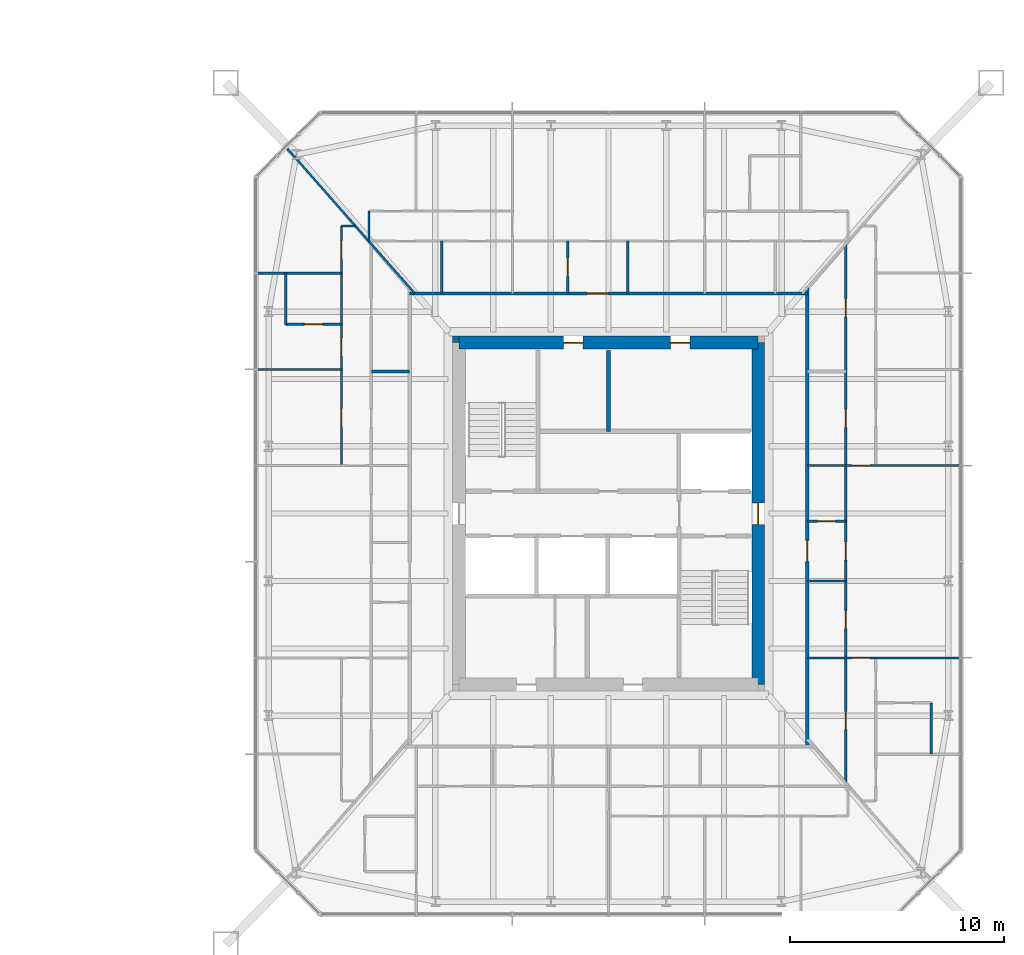
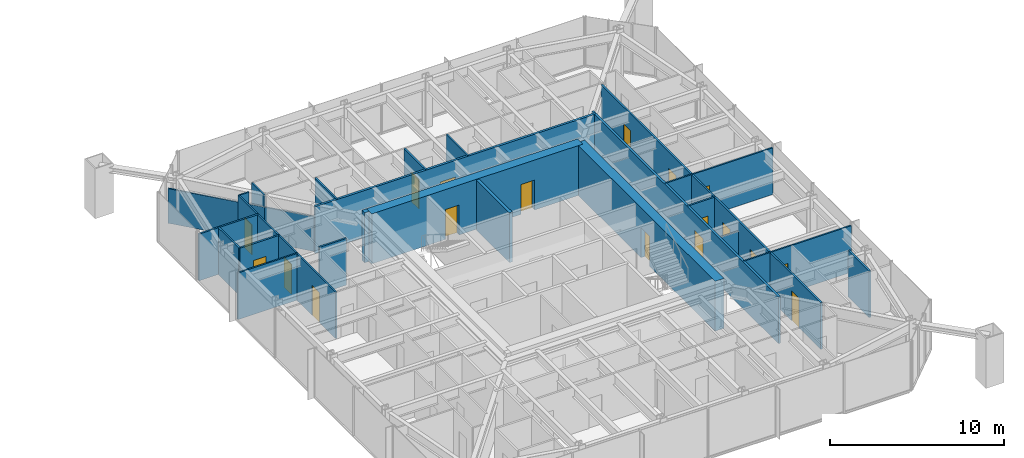
# One storey, part 20 of 26: 25 walls, 18 doors, 18 openings.
"""IFC4 building model written with IfcOpenShell, lengths in metres."""

from ifc_helpers import new_model, si_unit, direction, frame, frame_2d, origin, place, context, subcontext, project, spatial, rectangle, extrude, material, layer, layer_set, type_object, element, fill, save


model = new_model("IFC4")

# Units and contexts
model_context = context("Model", 3, precision=1e-05, world=origin(), true_north=direction((0.0, 1.0)))
body_context = subcontext(model_context, "Body", "Model", "MODEL_VIEW")
ifc_project = project(units=[si_unit("LENGTHUNIT", "METRE"), si_unit("AREAUNIT", "SQUARE_METRE"), si_unit("VOLUMEUNIT", "CUBIC_METRE"), si_unit("PLANEANGLEUNIT", "RADIAN"), si_unit("MASSUNIT", "GRAM", prefix="KILO")], contexts=[model_context])

# Site, building, storey
site_placement = place(None, origin())
site = spatial("IfcSite", under=ifc_project, at=site_placement, CompositionType="ELEMENT")
building_placement = place(site_placement, origin())
building = spatial("IfcBuilding", under=site, at=building_placement, Name="Iwan Alto Co-Living Towers", CompositionType="ELEMENT")
storey_placement = place(building_placement, frame((0.0, 0.0, 18.5)))
storey = spatial("IfcBuildingStorey", under=building, at=storey_placement, Name="L04", CompositionType="ELEMENT", Elevation=18.5)

# Wall, opening, door
ifc_material_1 = material(Name="Gypsum board")
ifc_layer_1 = layer(ifc_material_1, 0.02490234375, Name="Board", Category="Finish")
ifc_material_2 = material(Name="Steel ASTM A1003 ST33H cold-formed studs", Category="steel")
ifc_layer_2 = layer(ifc_material_2, 0.10009765625, Name="Studs", Category="Framing")
ifc_layer_3 = layer(ifc_material_1, 0.02490234375, Name="Board", Category="Finish")
ifc_layer_set_1 = layer_set([ifc_layer_1, ifc_layer_2, ifc_layer_3], Name="CORRIDOR WALL 150")
wall_type_1 = type_object("IfcWallType", Name="CORRIDOR WALL 150", PredefinedType="PARTITIONING", material=ifc_layer_set_1)
wall_1_placement = place(storey_placement, frame((53.699951171875, 10.300048828125, 0.0), z_axis=(0.0, 0.0, 1.0), x_axis=(1.0, 0.0, 0.0)))
wall_1 = element("IfcWall", 1, at=wall_1_placement, inside=storey, type_object=wall_type_1, Name="Partition L04", PredefinedType="PARTITIONING", context=body_context, shape_type="SweptSolid", body=[
    extrude(rectangle(XDim=18.60009765625, YDim=0.14990234375, at=frame_2d((9.300048828125, 0.0))), origin(), (0.0, 0.0, 1.0), 3.27001953125),
])
opening_1_placement = place(wall_1_placement, frame((8.300048828125, 0.0, 0.0)))
opening_1 = element("IfcOpeningElement", 2, at=opening_1_placement, cuts=wall_1, Name="Opening D3", PredefinedType="OPENING", context=body_context, shape_type="SweptSolid", body=[
    extrude(rectangle(XDim=1.0, YDim=2.10009765625, at=frame_2d((0.5, 1.050048828125))), frame((0.0, 0.0849609375, 0.0), z_axis=(0.0, -1.0, 0.0), x_axis=(1.0, 0.0, 0.0)), (0.0, 0.0, 1.0), 0.169921875),
])
ifc_material_3 = material(Name="Steel frame with timber leaf", Category="steel")
door_type_1 = type_object("IfcDoorType", Name="FLAT ENTRANCE DOOR FD30S 1000X2100", OperationType="SINGLE_SWING_LEFT", PredefinedType="DOOR", material=ifc_material_3)
door_1_placement = place(opening_1_placement, origin())
door_1 = element("IfcDoor", 3, at=door_1_placement, inside=storey, type_object=door_type_1, Name="Apartment foyer door L04", OperationType="SINGLE_SWING_LEFT", OverallHeight=2.10009765625, OverallWidth=1.0, PredefinedType="DOOR", context=body_context, shape_type="SweptSolid", body=[
    extrude(rectangle(XDim=1.0, YDim=2.10009765625, at=frame_2d((0.5, 1.050048828125))), frame((0.0, 0.02490234375, 0.0), z_axis=(0.0, -1.0, 0.0), x_axis=(1.0, 0.0, 0.0)), (0.0, 0.0, 1.0), 0.050048828125),
])
fill(opening_1, door_1)

wall_2_placement = place(storey_placement, frame((72.300048828125, -10.89990234375, 0.0), z_axis=(0.0, 0.0, 1.0), x_axis=(0.0, 1.0, 0.0)))
wall_2 = element("IfcWall", 4, at=wall_2_placement, inside=storey, type_object=wall_type_1, Name="Partition L04", PredefinedType="PARTITIONING", context=body_context, shape_type="SweptSolid", body=[
    extrude(rectangle(XDim=21.468017578125, YDim=0.14990234375, at=frame_2d((10.73388671875, 0.0))), origin(), (0.0, 0.0, 1.0), 3.27001953125),
])
opening_2_placement = place(wall_2_placement, frame((8.64990234375, 0.0, 0.0)))
opening_2 = element("IfcOpeningElement", 5, at=opening_2_placement, cuts=wall_2, Name="Opening D3", PredefinedType="OPENING", context=body_context, shape_type="SweptSolid", body=[
    extrude(rectangle(XDim=1.0, YDim=2.10009765625, at=frame_2d((0.5, 1.050048828125))), frame((0.0, 0.0849609375, 0.0), z_axis=(0.0, -1.0, 0.0), x_axis=(1.0, 0.0, 0.0)), (0.0, 0.0, 1.0), 0.169921875),
])
door_2_placement = place(opening_2_placement, frame((1.0, 0.0, 0.0), z_axis=(0.0, 0.0, 1.0), x_axis=(-1.0, 0.0, 0.0)))
door_2 = element("IfcDoor", 6, at=door_2_placement, inside=storey, type_object=door_type_1, Name="Apartment foyer door L04", OperationType="SINGLE_SWING_RIGHT", OverallHeight=2.10009765625, OverallWidth=1.0, PredefinedType="DOOR", context=body_context, shape_type="SweptSolid", body=[
    extrude(rectangle(XDim=1.0, YDim=2.10009765625, at=frame_2d((0.5, 1.050048828125))), frame((0.0, 0.02490234375, 0.0), z_axis=(0.0, -1.0, 0.0), x_axis=(1.0, 0.0, 0.0)), (0.0, 0.0, 1.0), 0.050048828125),
])
fill(opening_2, door_2)

ifc_layer_4 = layer(ifc_material_1, 0.012451171875, Name="Board", Category="Finish")
ifc_layer_5 = layer(ifc_material_2, 0.074951171875, Name="Studs", Category="Framing")
ifc_layer_6 = layer(ifc_material_1, 0.012451171875, Name="Board", Category="Finish")
ifc_layer_set_2 = layer_set([ifc_layer_4, ifc_layer_5, ifc_layer_6], Name="PARTITION 100")
wall_type_2 = type_object("IfcWallType", Name="PARTITION 100", PredefinedType="PARTITIONING", material=ifc_layer_set_2)
wall_3_placement = place(storey_placement, frame((72.300048828125, -6.75, 0.0), z_axis=(0.0, 0.0, 1.0), x_axis=(1.0, 0.0, 0.0)))
wall_3 = element("IfcWall", 7, at=wall_3_placement, inside=storey, type_object=wall_type_2, Name="Partition L04", PredefinedType="PARTITIONING", context=body_context, shape_type="SweptSolid", body=[
    extrude(rectangle(XDim=7.139892578125, YDim=0.10009765625, at=frame_2d((3.56982421875, 0.0))), origin(), (0.0, 0.0, 1.0), 3.27001953125),
])
opening_3_placement = place(wall_3_placement, frame((2.074951171875, 0.0, 0.0)))
opening_3 = element("IfcOpeningElement", 8, at=opening_3_placement, cuts=wall_3, Name="Opening D2", PredefinedType="OPENING", context=body_context, shape_type="SweptSolid", body=[
    extrude(rectangle(XDim=0.85009765625, YDim=2.10009765625, at=frame_2d((0.425048828125, 1.050048828125))), frame((0.0, 0.06005859375, 0.0), z_axis=(0.0, -1.0, 0.0), x_axis=(1.0, 0.0, 0.0)), (0.0, 0.0, 1.0), 0.1201171875),
])
ifc_material_4 = material(Name="Timber leaf in steel frame", Category="steel")
door_type_2 = type_object("IfcDoorType", Name="ROOM DOOR 850X2100", OperationType="SINGLE_SWING_LEFT", PredefinedType="DOOR", material=ifc_material_4)
door_3_placement = place(opening_3_placement, origin())
door_3 = element("IfcDoor", 9, at=door_3_placement, inside=storey, type_object=door_type_2, Name="Apartment hall door L04", OperationType="SINGLE_SWING_LEFT", OverallHeight=2.10009765625, OverallWidth=0.85009765625, PredefinedType="DOOR", context=body_context, shape_type="SweptSolid", body=[
    extrude(rectangle(XDim=0.85009765625, YDim=2.10009765625, at=frame_2d((0.425048828125, 1.050048828125))), frame((0.0, 0.02490234375, 0.0), z_axis=(0.0, -1.0, 0.0), x_axis=(1.0, 0.0, 0.0)), (0.0, 0.0, 1.0), 0.050048828125),
])
fill(opening_3, door_3)

# Wall
wall_4_placement = place(storey_placement, frame((72.300048828125, -3.14990234375, 0.0), z_axis=(0.0, 0.0, 1.0), x_axis=(1.0, 0.0, 0.0)))
element("IfcWall", 10, at=wall_4_placement, inside=storey, type_object=wall_type_2, Name="Partition L04", PredefinedType="PARTITIONING", context=body_context, shape_type="SweptSolid", body=[
    extrude(rectangle(XDim=1.800048828125, YDim=0.10009765625, at=frame_2d((0.89990234375, 0.0))), origin(), (0.0, 0.0, 1.0), 2.586669921875),
])

# Wall, opening, door
wall_5_placement = place(storey_placement, frame((72.300048828125, 2.25, 0.0), z_axis=(0.0, 0.0, 1.0), x_axis=(1.0, 0.0, 0.0)))
wall_5 = element("IfcWall", 11, at=wall_5_placement, inside=storey, type_object=wall_type_2, Name="Partition L04", PredefinedType="PARTITIONING", context=body_context, shape_type="SweptSolid", body=[
    extrude(rectangle(XDim=7.139892578125, YDim=0.10009765625, at=frame_2d((3.56982421875, 0.0))), origin(), (0.0, 0.0, 1.0), 3.27001953125),
])
opening_4_placement = place(wall_5_placement, frame((2.074951171875, 0.0, 0.0)))
opening_4 = element("IfcOpeningElement", 12, at=opening_4_placement, cuts=wall_5, Name="Opening D2", PredefinedType="OPENING", context=body_context, shape_type="SweptSolid", body=[
    extrude(rectangle(XDim=0.85009765625, YDim=2.10009765625, at=frame_2d((0.425048828125, 1.050048828125))), frame((0.0, 0.06005859375, 0.0), z_axis=(0.0, -1.0, 0.0), x_axis=(1.0, 0.0, 0.0)), (0.0, 0.0, 1.0), 0.1201171875),
])
door_4_placement = place(opening_4_placement, frame((0.85009765625, 0.0, 0.0), z_axis=(0.0, 0.0, 1.0), x_axis=(-1.0, 0.0, 0.0)))
door_4 = element("IfcDoor", 13, at=door_4_placement, inside=storey, type_object=door_type_2, Name="Apartment hall door L04", OperationType="SINGLE_SWING_RIGHT", OverallHeight=2.10009765625, OverallWidth=0.85009765625, PredefinedType="DOOR", context=body_context, shape_type="SweptSolid", body=[
    extrude(rectangle(XDim=0.85009765625, YDim=2.10009765625, at=frame_2d((0.425048828125, 1.050048828125))), frame((0.0, 0.02490234375, 0.0), z_axis=(0.0, -1.0, 0.0), x_axis=(1.0, 0.0, 0.0)), (0.0, 0.0, 1.0), 0.050048828125),
])
fill(opening_4, door_4)

# Walls
wall_6_placement = place(storey_placement, frame((46.56005859375, 6.75, 0.0), z_axis=(0.0, 0.0, 1.0), x_axis=(1.0, 0.0, 0.0)))
element("IfcWall", 14, at=wall_6_placement, inside=storey, type_object=wall_type_2, Name="Partition L04", PredefinedType="PARTITIONING", context=body_context, shape_type="SweptSolid", body=[
    extrude(rectangle(XDim=3.93994140625, YDim=0.10009765625, at=frame_2d((1.969970703125, 0.0))), origin(), (0.0, 0.0, 1.0), 3.27001953125),
])
wall_7_placement = place(storey_placement, frame((50.5, 13.449951171875, 0.0), z_axis=(0.0, 0.0, 1.0), x_axis=(1.0, 0.0, 0.0)))
element("IfcWall", 15, at=wall_7_placement, inside=storey, type_object=wall_type_2, Name="Partition L04", PredefinedType="PARTITIONING", context=body_context, shape_type="SweptSolid", body=[
    extrude(rectangle(XDim=0.6640625, YDim=0.10009765625, at=frame_2d((0.33203125, 0.0))), origin(), (0.0, 0.0, 1.0), 3.27001953125),
])
wall_8_placement = place(storey_placement, frame((63.89990234375, 10.300048828125, 0.0), z_axis=(0.0, 0.0, 1.0), x_axis=(0.0, 1.0, 0.0)))
element("IfcWall", 16, at=wall_8_placement, inside=storey, type_object=wall_type_2, Name="Partition L04", PredefinedType="PARTITIONING", context=body_context, shape_type="SweptSolid", body=[
    extrude(rectangle(XDim=2.449951171875, YDim=0.10009765625, at=frame_2d((1.22509765625, 0.0))), origin(), (0.0, 0.0, 1.0), 3.27001953125),
])
wall_9_placement = place(storey_placement, frame((51.800048828125, 12.72705078125, 0.0), z_axis=(0.0, 0.0, 1.0), x_axis=(0.0, 1.0, 0.0)))
element("IfcWall", 17, at=wall_9_placement, inside=storey, type_object=wall_type_2, Name="Partition L04", PredefinedType="PARTITIONING", context=body_context, shape_type="SweptSolid", body=[
    extrude(rectangle(XDim=1.4228515625, YDim=0.10009765625, at=frame_2d((0.71142578125, 0.0))), origin(), (0.0, 0.0, 1.0), 3.27001953125),
])

# Wall, openings, doors
wall_10_placement = place(storey_placement, frame((50.5, 2.25, 0.0), z_axis=(0.0, 0.0, 1.0), x_axis=(0.0, 1.0, 0.0)))
wall_10 = element("IfcWall", 18, at=wall_10_placement, inside=storey, type_object=wall_type_2, Name="Partition L04", PredefinedType="PARTITIONING", context=body_context, shape_type="SweptSolid", body=[
    extrude(rectangle(XDim=11.199951171875, YDim=0.10009765625, at=frame_2d((5.60009765625, 0.0))), origin(), (0.0, 0.0, 1.0), 3.27001953125),
])
opening_5_placement = place(wall_10_placement, frame((1.824951171875, 0.0, 0.0)))
opening_5 = element("IfcOpeningElement", 19, at=opening_5_placement, cuts=wall_10, Name="Opening D2", PredefinedType="OPENING", context=body_context, shape_type="SweptSolid", body=[
    extrude(rectangle(XDim=0.85009765625, YDim=2.10009765625, at=frame_2d((0.425048828125, 1.050048828125))), frame((0.0, 0.06005859375, 0.0), z_axis=(0.0, -1.0, 0.0), x_axis=(1.0, 0.0, 0.0)), (0.0, 0.0, 1.0), 0.1201171875),
])
opening_6_placement = place(wall_10_placement, frame((5.125, 0.0, 0.0)))
opening_6 = element("IfcOpeningElement", 20, at=opening_6_placement, cuts=wall_10, Name="Opening D2", PredefinedType="OPENING", context=body_context, shape_type="SweptSolid", body=[
    extrude(rectangle(XDim=0.85009765625, YDim=2.10009765625, at=frame_2d((0.425048828125, 1.050048828125))), frame((0.0, 0.06005859375, 0.0), z_axis=(0.0, -1.0, 0.0), x_axis=(1.0, 0.0, 0.0)), (0.0, 0.0, 1.0), 0.1201171875),
])
opening_7_placement = place(wall_10_placement, frame((9.675048828125, 0.0, 0.0)))
opening_7 = element("IfcOpeningElement", 21, at=opening_7_placement, cuts=wall_10, Name="Opening D2", PredefinedType="OPENING", context=body_context, shape_type="SweptSolid", body=[
    extrude(rectangle(XDim=0.85009765625, YDim=2.10009765625, at=frame_2d((0.425048828125, 1.050048828125))), frame((0.0, 0.06005859375, 0.0), z_axis=(0.0, -1.0, 0.0), x_axis=(1.0, 0.0, 0.0)), (0.0, 0.0, 1.0), 0.1201171875),
])
door_5_placement = place(opening_5_placement, origin())
door_5 = element("IfcDoor", 22, at=door_5_placement, inside=storey, type_object=door_type_2, Name="Study door L04", OperationType="SINGLE_SWING_LEFT", OverallHeight=2.10009765625, OverallWidth=0.85009765625, PredefinedType="DOOR", context=body_context, shape_type="SweptSolid", body=[
    extrude(rectangle(XDim=0.85009765625, YDim=2.10009765625, at=frame_2d((0.425048828125, 1.050048828125))), frame((0.0, 0.02490234375, 0.0), z_axis=(0.0, -1.0, 0.0), x_axis=(1.0, 0.0, 0.0)), (0.0, 0.0, 1.0), 0.050048828125),
])
fill(opening_5, door_5)
door_6_placement = place(opening_6_placement, origin())
door_6 = element("IfcDoor", 23, at=door_6_placement, inside=storey, type_object=door_type_2, Name="Bedroom door L04", OperationType="SINGLE_SWING_LEFT", OverallHeight=2.10009765625, OverallWidth=0.85009765625, PredefinedType="DOOR", context=body_context, shape_type="SweptSolid", body=[
    extrude(rectangle(XDim=0.85009765625, YDim=2.10009765625, at=frame_2d((0.425048828125, 1.050048828125))), frame((0.0, 0.02490234375, 0.0), z_axis=(0.0, -1.0, 0.0), x_axis=(1.0, 0.0, 0.0)), (0.0, 0.0, 1.0), 0.050048828125),
])
fill(opening_6, door_6)
door_7_placement = place(opening_7_placement, origin())
door_7 = element("IfcDoor", 24, at=door_7_placement, inside=storey, type_object=door_type_2, Name="Bedroom door L04", OperationType="SINGLE_SWING_LEFT", OverallHeight=2.10009765625, OverallWidth=0.85009765625, PredefinedType="DOOR", context=body_context, shape_type="SweptSolid", body=[
    extrude(rectangle(XDim=0.85009765625, YDim=2.10009765625, at=frame_2d((0.425048828125, 1.050048828125))), frame((0.0, 0.02490234375, 0.0), z_axis=(0.0, -1.0, 0.0), x_axis=(1.0, 0.0, 0.0)), (0.0, 0.0, 1.0), 0.050048828125),
])
fill(opening_7, door_7)

# Walls
wall_11_placement = place(storey_placement, frame((53.93603515625, 10.300048828125, 0.0), z_axis=(0.0, 0.0, 1.0), x_axis=(-0.660667046586, 0.75067906162, 0.0)))
element("IfcWall", 25, at=wall_11_placement, inside=storey, type_object=wall_type_2, Name="Partition L04", PredefinedType="PARTITIONING", context=body_context, shape_type="SweptSolid", body=[
    extrude(rectangle(XDim=3.233154296875, YDim=0.10009765625, at=frame_2d((1.61669921875, 0.0))), origin(), (0.0, 0.0, 1.0), 2.42919921875),
])
wall_12_placement = place(storey_placement, frame((51.800048828125, 12.72705078125, 0.0), z_axis=(0.0, 0.0, 1.0), x_axis=(-0.660690123093, 0.750658751529, 0.0)))
element("IfcWall", 26, at=wall_12_placement, inside=storey, type_object=wall_type_2, Name="Partition L04", PredefinedType="PARTITIONING", context=body_context, shape_type="SweptSolid", body=[
    extrude(rectangle(XDim=5.8369140625, YDim=0.10009765625, at=frame_2d((2.91845703125, 0.0))), origin(), (0.0, 0.0, 1.0), 2.42919921875),
])
ifc_material_5 = material(Name="Concrete f'c 70 MPa", Category="concrete")
ifc_layer_7 = layer(ifc_material_5, 0.199951171875)
ifc_layer_set_3 = layer_set([ifc_layer_7], Name="SHAFT WALL 200")
wall_type_3 = type_object("IfcWallType", Name="SHAFT WALL 200", PredefinedType="SOLIDWALL", material=ifc_layer_set_3)
wall_13_placement = place(storey_placement, frame((63.0, 3.85009765625, 0.0), z_axis=(0.0, 0.0, 1.0), x_axis=(0.0, 1.0, 0.0)))
element("IfcWall", 27, at=wall_13_placement, inside=storey, type_object=wall_type_3, Name="Shaft wall L04", PredefinedType="SOLIDWALL", context=body_context, shape_type="SweptSolid", body=[
    extrude(rectangle(XDim=3.789794921875, YDim=0.199951171875, at=frame_2d((1.89501953125, 0.0))), origin(), (0.0, 0.0, 1.0), 3.5),
])
ifc_material_6 = material(Name="Concrete f'c 70 MPa", Category="concrete")
ifc_layer_8 = layer(ifc_material_6, 0.300048828125)
ifc_layer_set_4 = layer_set([ifc_layer_8], Name="T2 CORE CORNER FILL 300")
wall_type_4 = type_object("IfcWallType", Name="T2 CORE CORNER FILL 300", PredefinedType="SOLIDWALL", material=ifc_layer_set_4)
wall_14_placement = place(storey_placement, frame((55.699951171875, 8.14990234375, 0.0), z_axis=(0.0, 0.0, 1.0), x_axis=(1.0, 0.0, 0.0)))
element("IfcWall", 28, at=wall_14_placement, inside=storey, type_object=wall_type_4, Name="T2 core corner NW L04", PredefinedType="SOLIDWALL", context=body_context, shape_type="SweptSolid", body=[
    extrude(rectangle(XDim=0.300048828125, YDim=0.300048828125, at=frame_2d((0.14990234375, 0.0))), origin(), (0.0, 0.0, 1.0), 3.5),
])

# Wall, openings, doors
ifc_material_7 = material(Name="Concrete f'c 70 MPa", Category="concrete")
ifc_layer_9 = layer(ifc_material_7, 0.60009765625)
ifc_layer_set_5 = layer_set([ifc_layer_9], Name="T2 CORE WALL 600")
wall_type_5 = type_object("IfcWallType", Name="T2 CORE WALL 600", PredefinedType="SHEAR", material=ifc_layer_set_5)
wall_15_placement = place(storey_placement, frame((70.0, 8.0, 0.0), z_axis=(0.0, 0.0, 1.0), x_axis=(-1.0, 0.0, 0.0)))
wall_15 = element("IfcWall", 29, at=wall_15_placement, inside=storey, type_object=wall_type_5, Name="T2 core wall N L04", PredefinedType="SHEAR", context=body_context, shape_type="SweptSolid", body=[
    extrude(rectangle(XDim=14.0, YDim=0.60009765625, at=frame_2d((7.0, 0.0))), origin(), (0.0, 0.0, 1.0), 3.5),
])
opening_8_placement = place(wall_15_placement, frame((8.199951171875, 0.0, 0.0)))
opening_8 = element("IfcOpeningElement", 30, at=opening_8_placement, cuts=wall_15, Name="Opening D8", PredefinedType="OPENING", context=body_context, shape_type="SweptSolid", body=[
    extrude(rectangle(XDim=0.89990234375, YDim=2.10009765625, at=frame_2d((0.449951171875, 1.050048828125))), frame((0.0, 0.31005859375, 0.0), z_axis=(0.0, -1.0, 0.0), x_axis=(1.0, 0.0, 0.0)), (0.0, 0.0, 1.0), 0.6201171875),
])
opening_9_placement = place(wall_15_placement, frame((3.199951171875, 0.0, 0.0)))
opening_9 = element("IfcOpeningElement", 31, at=opening_9_placement, cuts=wall_15, Name="Opening D8", PredefinedType="OPENING", context=body_context, shape_type="SweptSolid", body=[
    extrude(rectangle(XDim=0.89990234375, YDim=2.10009765625, at=frame_2d((0.449951171875, 1.050048828125))), frame((0.0, 0.31005859375, 0.0), z_axis=(0.0, -1.0, 0.0), x_axis=(1.0, 0.0, 0.0)), (0.0, 0.0, 1.0), 0.6201171875),
])
ifc_material_8 = material(Name="Steel frame with timber leaf", Category="steel")
door_type_3 = type_object("IfcDoorType", Name="RISER DOOR FD120 900X2100", OperationType="SINGLE_SWING_LEFT", PredefinedType="DOOR", material=ifc_material_8)
door_8_placement = place(opening_8_placement, origin())
door_8 = element("IfcDoor", 32, at=door_8_placement, inside=storey, type_object=door_type_3, Name="Electrical riser core door L04", OperationType="SINGLE_SWING_RIGHT", OverallHeight=2.10009765625, OverallWidth=0.89990234375, PredefinedType="DOOR", context=body_context, shape_type="SweptSolid", body=[
    extrude(rectangle(XDim=0.89990234375, YDim=2.10009765625, at=frame_2d((0.449951171875, 1.050048828125))), frame((0.0, 0.02490234375, 0.0), z_axis=(0.0, -1.0, 0.0), x_axis=(1.0, 0.0, 0.0)), (0.0, 0.0, 1.0), 0.050048828125),
])
fill(opening_8, door_8)
door_9_placement = place(opening_9_placement, origin())
door_9 = element("IfcDoor", 33, at=door_9_placement, inside=storey, type_object=door_type_3, Name="Water and drainage riser core door L04", OperationType="SINGLE_SWING_RIGHT", OverallHeight=2.10009765625, OverallWidth=0.89990234375, PredefinedType="DOOR", context=body_context, shape_type="SweptSolid", body=[
    extrude(rectangle(XDim=0.89990234375, YDim=2.10009765625, at=frame_2d((0.449951171875, 1.050048828125))), frame((0.0, 0.02490234375, 0.0), z_axis=(0.0, -1.0, 0.0), x_axis=(1.0, 0.0, 0.0)), (0.0, 0.0, 1.0), 0.050048828125),
])
fill(opening_9, door_9)

# Wall, opening, door
wall_16_placement = place(storey_placement, frame((70.0, -8.0, 0.0), z_axis=(0.0, 0.0, 1.0), x_axis=(0.0, 1.0, 0.0)))
wall_16 = element("IfcWall", 34, at=wall_16_placement, inside=storey, type_object=wall_type_5, Name="T2 core wall E L04", PredefinedType="SHEAR", context=body_context, shape_type="SweptSolid", body=[
    extrude(rectangle(XDim=16.0, YDim=0.60009765625, at=frame_2d((8.0, 0.0))), origin(), (0.0, 0.0, 1.0), 3.5),
])
opening_10_placement = place(wall_16_placement, frame((7.5, 0.0, 0.0)))
opening_10 = element("IfcOpeningElement", 35, at=opening_10_placement, cuts=wall_16, Name="Opening D7", PredefinedType="OPENING", context=body_context, shape_type="SweptSolid", body=[
    extrude(rectangle(XDim=1.0, YDim=2.10009765625, at=frame_2d((0.5, 1.050048828125))), frame((0.0, 0.31005859375, 0.0), z_axis=(0.0, -1.0, 0.0), x_axis=(1.0, 0.0, 0.0)), (0.0, 0.0, 1.0), 0.6201171875),
])
ifc_material_9 = material(Name="Steel frame with timber leaf", Category="steel")
door_type_4 = type_object("IfcDoorType", Name="CORE DOOR FD120S 1000X2100", OperationType="SINGLE_SWING_LEFT", PredefinedType="DOOR", material=ifc_material_9)
door_10_placement = place(opening_10_placement, origin())
door_10 = element("IfcDoor", 36, at=door_10_placement, inside=storey, type_object=door_type_4, Name="Firefighting lobby core door L04", OperationType="SINGLE_SWING_LEFT", OverallHeight=2.10009765625, OverallWidth=1.0, PredefinedType="DOOR", context=body_context, shape_type="SweptSolid", body=[
    extrude(rectangle(XDim=1.0, YDim=2.10009765625, at=frame_2d((0.5, 1.050048828125))), frame((0.0, 0.02490234375, 0.0), z_axis=(0.0, -1.0, 0.0), x_axis=(1.0, 0.0, 0.0)), (0.0, 0.0, 1.0), 0.050048828125),
])
fill(opening_10, door_10)

ifc_material_10 = material(Name="Cement board")
ifc_layer_10 = layer(ifc_material_10, 0.012451171875, Name="Board", Category="Finish")
ifc_layer_11 = layer(ifc_material_2, 0.094970703125, Name="Studs", Category="Framing")
ifc_layer_12 = layer(ifc_material_10, 0.012451171875, Name="Board", Category="Finish")
ifc_layer_set_6 = layer_set([ifc_layer_10, ifc_layer_11, ifc_layer_12], Name="WET AREA PARTITION 120")
wall_type_6 = type_object("IfcWallType", Name="WET AREA PARTITION 120", PredefinedType="PARTITIONING", material=ifc_layer_set_6)
wall_17_placement = place(storey_placement, frame((72.300048828125, -0.35009765625, 0.0), z_axis=(0.0, 0.0, 1.0), x_axis=(1.0, 0.0, 0.0)))
wall_17 = element("IfcWall", 37, at=wall_17_placement, inside=storey, type_object=wall_type_6, Name="Partition L04", PredefinedType="PARTITIONING", context=body_context, shape_type="SweptSolid", body=[
    extrude(rectangle(XDim=1.800048828125, YDim=0.1201171875, at=frame_2d((0.89990234375, 0.0))), origin(), (0.0, 0.0, 1.0), 3.27001953125),
])
opening_11_placement = place(wall_17_placement, frame((0.47509765625, 0.0, 0.0)))
opening_11 = element("IfcOpeningElement", 38, at=opening_11_placement, cuts=wall_17, Name="Opening D2", PredefinedType="OPENING", context=body_context, shape_type="SweptSolid", body=[
    extrude(rectangle(XDim=0.85009765625, YDim=2.10009765625, at=frame_2d((0.425048828125, 1.050048828125))), frame((0.0, 0.070068359375, 0.0), z_axis=(0.0, -1.0, 0.0), x_axis=(1.0, 0.0, 0.0)), (0.0, 0.0, 1.0), 0.14013671875),
])
door_11_placement = place(opening_11_placement, origin())
door_11 = element("IfcDoor", 39, at=door_11_placement, inside=storey, type_object=door_type_2, Name="Bathroom door L04", OperationType="SINGLE_SWING_LEFT", OverallHeight=2.10009765625, OverallWidth=0.85009765625, PredefinedType="DOOR", context=body_context, shape_type="SweptSolid", body=[
    extrude(rectangle(XDim=0.85009765625, YDim=2.10009765625, at=frame_2d((0.425048828125, 1.050048828125))), frame((0.0, 0.02490234375, 0.0), z_axis=(0.0, -1.0, 0.0), x_axis=(1.0, 0.0, 0.0)), (0.0, 0.0, 1.0), 0.050048828125),
])
fill(opening_11, door_11)

# Wall
wall_18_placement = place(storey_placement, frame((51.89990234375, 6.64990234375, 0.0), z_axis=(0.0, 0.0, 1.0), x_axis=(1.0, 0.0, 0.0)))
element("IfcWall", 40, at=wall_18_placement, inside=storey, type_object=wall_type_6, Name="Partition L04", PredefinedType="PARTITIONING", context=body_context, shape_type="SweptSolid", body=[
    extrude(rectangle(XDim=1.800048828125, YDim=0.1201171875, at=frame_2d((0.89990234375, 0.0))), origin(), (0.0, 0.0, 1.0), 3.27001953125),
])

# Wall, opening, door
wall_19_placement = place(storey_placement, frame((47.89990234375, 8.85009765625, 0.0), z_axis=(0.0, 0.0, 1.0), x_axis=(1.0, 0.0, 0.0)))
wall_19 = element("IfcWall", 41, at=wall_19_placement, inside=storey, type_object=wall_type_6, Name="Partition L04", PredefinedType="PARTITIONING", context=body_context, shape_type="SweptSolid", body=[
    extrude(rectangle(XDim=2.60009765625, YDim=0.1201171875, at=frame_2d((1.300048828125, 0.0))), origin(), (0.0, 0.0, 1.0), 3.27001953125),
])
opening_12_placement = place(wall_19_placement, frame((0.875, 0.0, 0.0)))
opening_12 = element("IfcOpeningElement", 42, at=opening_12_placement, cuts=wall_19, Name="Opening D2", PredefinedType="OPENING", context=body_context, shape_type="SweptSolid", body=[
    extrude(rectangle(XDim=0.85009765625, YDim=2.10009765625, at=frame_2d((0.425048828125, 1.050048828125))), frame((0.0, 0.070068359375, 0.0), z_axis=(0.0, -1.0, 0.0), x_axis=(1.0, 0.0, 0.0)), (0.0, 0.0, 1.0), 0.14013671875),
])
door_12_placement = place(opening_12_placement, frame((0.85009765625, 0.0, 0.0), z_axis=(0.0, 0.0, 1.0), x_axis=(-1.0, 0.0, 0.0)))
door_12 = element("IfcDoor", 43, at=door_12_placement, inside=storey, type_object=door_type_2, Name="En-suite shower room door L04", OperationType="SINGLE_SWING_LEFT", OverallHeight=2.10009765625, OverallWidth=0.85009765625, PredefinedType="DOOR", context=body_context, shape_type="SweptSolid", body=[
    extrude(rectangle(XDim=0.85009765625, YDim=2.10009765625, at=frame_2d((0.425048828125, 1.050048828125))), frame((0.0, 0.02490234375, 0.0), z_axis=(0.0, -1.0, 0.0), x_axis=(1.0, 0.0, 0.0)), (0.0, 0.0, 1.0), 0.050048828125),
])
fill(opening_12, door_12)

# Walls
wall_20_placement = place(storey_placement, frame((46.56005859375, 11.25, 0.0), z_axis=(0.0, 0.0, 1.0), x_axis=(1.0, 0.0, 0.0)))
element("IfcWall", 44, at=wall_20_placement, inside=storey, type_object=wall_type_6, Name="Partition L04", PredefinedType="PARTITIONING", context=body_context, shape_type="SweptSolid", body=[
    extrude(rectangle(XDim=3.93994140625, YDim=0.1201171875, at=frame_2d((1.969970703125, 0.0))), origin(), (0.0, 0.0, 1.0), 3.27001953125),
])
wall_21_placement = place(storey_placement, frame((78.10009765625, -11.25, 0.0), z_axis=(0.0, 0.0, 1.0), x_axis=(0.0, 1.0, 0.0)))
element("IfcWall", 45, at=wall_21_placement, inside=storey, type_object=wall_type_6, Name="Partition L04", PredefinedType="PARTITIONING", context=body_context, shape_type="SweptSolid", body=[
    extrude(rectangle(XDim=2.39990234375, YDim=0.1201171875, at=frame_2d((1.199951171875, 0.0))), origin(), (0.0, 0.0, 1.0), 3.27001953125),
])

# Wall, openings, doors
wall_22_placement = place(storey_placement, frame((74.10009765625, -12.614013671875, 0.0), z_axis=(0.0, 0.0, 1.0), x_axis=(0.0, 1.0, 0.0)))
wall_22 = element("IfcWall", 46, at=wall_22_placement, inside=storey, type_object=wall_type_6, Name="Partition L04", PredefinedType="PARTITIONING", context=body_context, shape_type="SweptSolid", body=[
    extrude(rectangle(XDim=25.22802734375, YDim=0.1201171875, at=frame_2d((12.614013671875, 0.0))), origin(), (0.0, 0.0, 1.0), 3.27001953125),
])
opening_13_placement = place(wall_22_placement, frame((7.239013671875, 0.0, 0.0)))
opening_13 = element("IfcOpeningElement", 47, at=opening_13_placement, cuts=wall_22, Name="Opening D2", PredefinedType="OPENING", context=body_context, shape_type="SweptSolid", body=[
    extrude(rectangle(XDim=0.85009765625, YDim=2.10009765625, at=frame_2d((0.425048828125, 1.050048828125))), frame((0.0, 0.070068359375, 0.0), z_axis=(0.0, -1.0, 0.0), x_axis=(1.0, 0.0, 0.0)), (0.0, 0.0, 1.0), 0.14013671875),
])
opening_14_placement = place(wall_22_placement, frame((10.43896484375, 0.0, 0.0)))
opening_14 = element("IfcOpeningElement", 48, at=opening_14_placement, cuts=wall_22, Name="Opening D2", PredefinedType="OPENING", context=body_context, shape_type="SweptSolid", body=[
    extrude(rectangle(XDim=0.85009765625, YDim=2.10009765625, at=frame_2d((0.425048828125, 1.050048828125))), frame((0.0, 0.070068359375, 0.0), z_axis=(0.0, -1.0, 0.0), x_axis=(1.0, 0.0, 0.0)), (0.0, 0.0, 1.0), 0.14013671875),
])
opening_15_placement = place(wall_22_placement, frame((2.507080078125, 0.0, 0.0)))
opening_15 = element("IfcOpeningElement", 49, at=opening_15_placement, cuts=wall_22, Name="Opening D2", PredefinedType="OPENING", context=body_context, shape_type="SweptSolid", body=[
    extrude(rectangle(XDim=0.85009765625, YDim=2.10009765625, at=frame_2d((0.425048828125, 1.050048828125))), frame((0.0, 0.070068359375, 0.0), z_axis=(0.0, -1.0, 0.0), x_axis=(1.0, 0.0, 0.0)), (0.0, 0.0, 1.0), 0.14013671875),
])
opening_16_placement = place(wall_22_placement, frame((16.638916015625, 0.0, 0.0)))
opening_16 = element("IfcOpeningElement", 50, at=opening_16_placement, cuts=wall_22, Name="Opening D2", PredefinedType="OPENING", context=body_context, shape_type="SweptSolid", body=[
    extrude(rectangle(XDim=0.85009765625, YDim=2.10009765625, at=frame_2d((0.425048828125, 1.050048828125))), frame((0.0, 0.070068359375, 0.0), z_axis=(0.0, -1.0, 0.0), x_axis=(1.0, 0.0, 0.0)), (0.0, 0.0, 1.0), 0.14013671875),
])
opening_17_placement = place(wall_22_placement, frame((21.821044921875, 0.0, 0.0)))
opening_17 = element("IfcOpeningElement", 51, at=opening_17_placement, cuts=wall_22, Name="Opening D2", PredefinedType="OPENING", context=body_context, shape_type="SweptSolid", body=[
    extrude(rectangle(XDim=0.85009765625, YDim=2.10009765625, at=frame_2d((0.425048828125, 1.050048828125))), frame((0.0, 0.070068359375, 0.0), z_axis=(0.0, -1.0, 0.0), x_axis=(1.0, 0.0, 0.0)), (0.0, 0.0, 1.0), 0.14013671875),
])
door_13_placement = place(opening_13_placement, frame((0.85009765625, 0.0, 0.0), z_axis=(0.0, 0.0, 1.0), x_axis=(-1.0, 0.0, 0.0)))
door_13 = element("IfcDoor", 52, at=door_13_placement, inside=storey, type_object=door_type_2, Name="Kitchen door L04", OperationType="SINGLE_SWING_RIGHT", OverallHeight=2.10009765625, OverallWidth=0.85009765625, PredefinedType="DOOR", context=body_context, shape_type="SweptSolid", body=[
    extrude(rectangle(XDim=0.85009765625, YDim=2.10009765625, at=frame_2d((0.425048828125, 1.050048828125))), frame((0.0, 0.02490234375, 0.0), z_axis=(0.0, -1.0, 0.0), x_axis=(1.0, 0.0, 0.0)), (0.0, 0.0, 1.0), 0.050048828125),
])
fill(opening_13, door_13)
door_14_placement = place(opening_14_placement, frame((0.85009765625, 0.0, 0.0), z_axis=(0.0, 0.0, 1.0), x_axis=(-1.0, 0.0, 0.0)))
door_14 = element("IfcDoor", 53, at=door_14_placement, inside=storey, type_object=door_type_2, Name="Apartment foyer door L04", OperationType="SINGLE_SWING_LEFT", OverallHeight=2.10009765625, OverallWidth=0.85009765625, PredefinedType="DOOR", context=body_context, shape_type="SweptSolid", body=[
    extrude(rectangle(XDim=0.85009765625, YDim=2.10009765625, at=frame_2d((0.425048828125, 1.050048828125))), frame((0.0, 0.02490234375, 0.0), z_axis=(0.0, -1.0, 0.0), x_axis=(1.0, 0.0, 0.0)), (0.0, 0.0, 1.0), 0.050048828125),
])
fill(opening_14, door_14)
door_15_placement = place(opening_15_placement, origin())
door_15 = element("IfcDoor", 54, at=door_15_placement, inside=storey, type_object=door_type_2, Name="Utility room door L04", OperationType="SINGLE_SWING_LEFT", OverallHeight=2.10009765625, OverallWidth=0.85009765625, PredefinedType="DOOR", context=body_context, shape_type="SweptSolid", body=[
    extrude(rectangle(XDim=0.85009765625, YDim=2.10009765625, at=frame_2d((0.425048828125, 1.050048828125))), frame((0.0, 0.02490234375, 0.0), z_axis=(0.0, -1.0, 0.0), x_axis=(1.0, 0.0, 0.0)), (0.0, 0.0, 1.0), 0.050048828125),
])
fill(opening_15, door_15)
door_16_placement = place(opening_16_placement, origin())
door_16 = element("IfcDoor", 55, at=door_16_placement, inside=storey, type_object=door_type_2, Name="Utility room door L04", OperationType="SINGLE_SWING_LEFT", OverallHeight=2.10009765625, OverallWidth=0.85009765625, PredefinedType="DOOR", context=body_context, shape_type="SweptSolid", body=[
    extrude(rectangle(XDim=0.85009765625, YDim=2.10009765625, at=frame_2d((0.425048828125, 1.050048828125))), frame((0.0, 0.02490234375, 0.0), z_axis=(0.0, -1.0, 0.0), x_axis=(1.0, 0.0, 0.0)), (0.0, 0.0, 1.0), 0.050048828125),
])
fill(opening_16, door_16)
door_17_placement = place(opening_17_placement, origin())
door_17 = element("IfcDoor", 56, at=door_17_placement, inside=storey, type_object=door_type_2, Name="Store room door L04", OperationType="SINGLE_SWING_RIGHT", OverallHeight=2.10009765625, OverallWidth=0.85009765625, PredefinedType="DOOR", context=body_context, shape_type="SweptSolid", body=[
    extrude(rectangle(XDim=0.85009765625, YDim=2.10009765625, at=frame_2d((0.425048828125, 1.050048828125))), frame((0.0, 0.02490234375, 0.0), z_axis=(0.0, -1.0, 0.0), x_axis=(1.0, 0.0, 0.0)), (0.0, 0.0, 1.0), 0.050048828125),
])
fill(opening_17, door_17)

# Wall, opening, door
wall_23_placement = place(storey_placement, frame((61.10009765625, 10.300048828125, 0.0), z_axis=(0.0, 0.0, 1.0), x_axis=(0.0, 1.0, 0.0)))
wall_23 = element("IfcWall", 57, at=wall_23_placement, inside=storey, type_object=wall_type_6, Name="Partition L04", PredefinedType="PARTITIONING", context=body_context, shape_type="SweptSolid", body=[
    extrude(rectangle(XDim=2.449951171875, YDim=0.1201171875, at=frame_2d((1.22509765625, 0.0))), origin(), (0.0, 0.0, 1.0), 3.27001953125),
])
opening_18_placement = place(wall_23_placement, frame((0.800048828125, 0.0, 0.0)))
opening_18 = element("IfcOpeningElement", 58, at=opening_18_placement, cuts=wall_23, Name="Opening D2", PredefinedType="OPENING", context=body_context, shape_type="SweptSolid", body=[
    extrude(rectangle(XDim=0.85009765625, YDim=2.10009765625, at=frame_2d((0.425048828125, 1.050048828125))), frame((0.0, 0.070068359375, 0.0), z_axis=(0.0, -1.0, 0.0), x_axis=(1.0, 0.0, 0.0)), (0.0, 0.0, 1.0), 0.14013671875),
])
door_18_placement = place(opening_18_placement, origin())
door_18 = element("IfcDoor", 59, at=door_18_placement, inside=storey, type_object=door_type_2, Name="Bathroom door L04", OperationType="SINGLE_SWING_LEFT", OverallHeight=2.10009765625, OverallWidth=0.85009765625, PredefinedType="DOOR", context=body_context, shape_type="SweptSolid", body=[
    extrude(rectangle(XDim=0.85009765625, YDim=2.10009765625, at=frame_2d((0.425048828125, 1.050048828125))), frame((0.0, 0.02490234375, 0.0), z_axis=(0.0, -1.0, 0.0), x_axis=(1.0, 0.0, 0.0)), (0.0, 0.0, 1.0), 0.050048828125),
])
fill(opening_18, door_18)

# Walls
wall_24_placement = place(storey_placement, frame((55.199951171875, 10.300048828125, 0.0), z_axis=(0.0, 0.0, 1.0), x_axis=(0.0, 1.0, 0.0)))
element("IfcWall", 60, at=wall_24_placement, inside=storey, type_object=wall_type_6, Name="Partition L04", PredefinedType="PARTITIONING", context=body_context, shape_type="SweptSolid", body=[
    extrude(rectangle(XDim=2.449951171875, YDim=0.1201171875, at=frame_2d((1.22509765625, 0.0))), origin(), (0.0, 0.0, 1.0), 3.27001953125),
])
wall_25_placement = place(storey_placement, frame((47.89990234375, 8.85009765625, 0.0), z_axis=(0.0, 0.0, 1.0), x_axis=(0.0, 1.0, 0.0)))
element("IfcWall", 61, at=wall_25_placement, inside=storey, type_object=wall_type_6, Name="Partition L04", PredefinedType="PARTITIONING", context=body_context, shape_type="SweptSolid", body=[
    extrude(rectangle(XDim=2.39990234375, YDim=0.1201171875, at=frame_2d((1.199951171875, 0.0))), origin(), (0.0, 0.0, 1.0), 3.27001953125),
])

save(model, "model.ifc")
